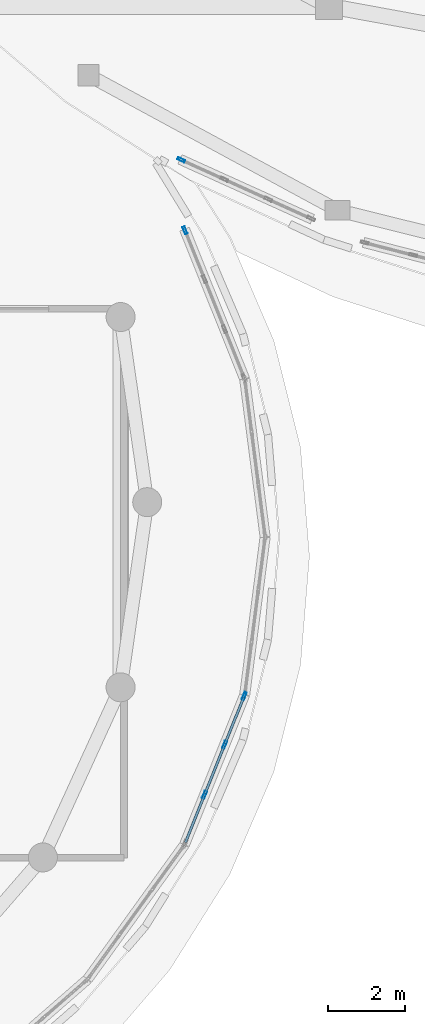
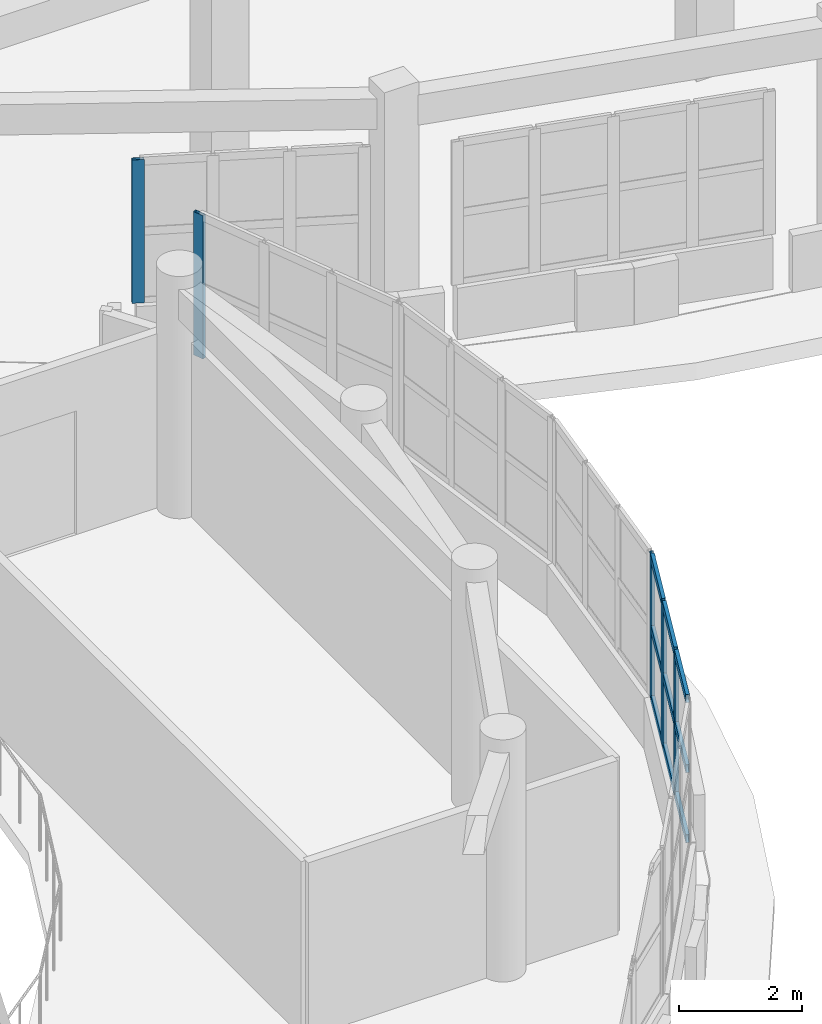
# One storey, part 26 of 98: 14 members, 3 elements without a shape of their own.
"""IFC4 building model written with IfcOpenShell, lengths in metres."""

from ifc_helpers import new_model, si_unit, direction, frame, origin, origin_2d, place, context, subcontext, project, spatial, hollow_rectangle, extrude, material, layer, layer_set, material_profile, profile_set, type_object, element, aggregate, save


model = new_model("IFC4")

# Units and contexts
model_context = context("Model", 3, precision=1e-05, world=origin(), true_north=direction((0.0, 1.0)))
body_context = subcontext(model_context, "Body", "Model", "MODEL_VIEW")
ifc_project = project(units=[si_unit("LENGTHUNIT", "METRE"), si_unit("AREAUNIT", "SQUARE_METRE"), si_unit("VOLUMEUNIT", "CUBIC_METRE"), si_unit("PLANEANGLEUNIT", "RADIAN"), si_unit("MASSUNIT", "GRAM", prefix="KILO")], contexts=[model_context])

# Site, building, storey
site_placement = place(None, origin())
site = spatial("IfcSite", under=ifc_project, at=site_placement, CompositionType="ELEMENT")
building_placement = place(site_placement, origin())
building = spatial("IfcBuilding", under=site, at=building_placement, Name="Pelvatis Terrace Science Centre", CompositionType="ELEMENT")
storey_placement = place(building_placement, frame((0.0, 0.0, 5.39990234375)))
storey = spatial("IfcBuildingStorey", under=building, at=storey_placement, Name="L01", CompositionType="ELEMENT", Elevation=5.39990234375)

# Curtain wall, member
ifc_material_1 = material(Name="Bronze-anodised aluminium and laminated glass", Category="aluminium")
ifc_layer = layer(ifc_material_1, 0.199951171875)
ifc_layer_set = layer_set([ifc_layer], Name="Bronze-anodised aluminium and laminated glass")
curtain_wall_type = type_object("IfcCurtainWallType", Name="CW-RIBBON-B", PredefinedType="NOTDEFINED", material=ifc_layer_set)
curtain_wall_1_placement = place(storey_placement, origin())
curtain_wall_1 = element("IfcCurtainWall", 1, at=curtain_wall_1_placement, inside=storey, type_object=curtain_wall_type, Name="Ribbon curtain wall CW-061 (L01)", PredefinedType="NOTDEFINED")
ifc_material_2 = material(Name="Bronze-anodised aluminium 6063-T6", Category="aluminium")
ifc_material_profile_1 = material_profile(ifc_material_2, hollow_rectangle(XDim=0.06494140625, YDim=0.199951171875, WallThickness=0.00439453125, at=origin_2d()), Name="ALU-MUL 65x200")
ifc_profile_set_1 = profile_set([ifc_material_profile_1], Name="Bronze-anodised aluminium 6063-T6")
member_type_1 = type_object("IfcMemberType", Name="CWM-65x200", PredefinedType="MULLION", material=ifc_profile_set_1)
member_1_placement = place(storey_placement, frame((95.9775390625, 61.631591796875, 1.02001953125), z_axis=(0.0, 0.0, 1.0), x_axis=(-0.928030475045, -0.372504278349, 0.0)))
member_1 = element("IfcMember", 2, at=member_1_placement, type_object=member_type_1, Name="CW-061 mullion 4", PredefinedType="MULLION", context=body_context, shape_type="SweptSolid", body=[
    extrude(hollow_rectangle(XDim=0.06494140625, YDim=0.199951171875, WallThickness=0.00439453125, at=origin_2d()), origin(), (0.0, 0.0, 1.0), 2.840087890625),
])
aggregate(curtain_wall_1, [member_1])

# Curtain wall, members
curtain_wall_2_placement = place(storey_placement, origin())
curtain_wall_2 = element("IfcCurtainWall", 3, at=curtain_wall_2_placement, inside=storey, type_object=curtain_wall_type, Name="Ribbon curtain wall CW-075 (L01)", PredefinedType="NOTDEFINED")
member_2_placement = place(storey_placement, frame((96.484375, 47.031005859375, 1.02001953125), z_axis=(0.0, 0.0, 1.0), x_axis=(-0.928030475045, 0.372504278349, 0.0)))
member_2 = element("IfcMember", 4, at=member_2_placement, type_object=member_type_1, Name="CW-075 mullion 2", PredefinedType="MULLION", context=body_context, shape_type="SweptSolid", body=[
    extrude(hollow_rectangle(XDim=0.06494140625, YDim=0.199951171875, WallThickness=0.00439453125, at=origin_2d()), origin(), (0.0, 0.0, 1.0), 2.840087890625),
])
member_3_placement = place(storey_placement, frame((97.003173828125, 48.323974609375, 1.02001953125), z_axis=(0.0, 0.0, 1.0), x_axis=(-0.928030475045, 0.372504278349, 0.0)))
member_3 = element("IfcMember", 5, at=member_3_placement, type_object=member_type_1, Name="CW-075 mullion 3", PredefinedType="MULLION", context=body_context, shape_type="SweptSolid", body=[
    extrude(hollow_rectangle(XDim=0.06494140625, YDim=0.199951171875, WallThickness=0.00439453125, at=origin_2d()), origin(), (0.0, 0.0, 1.0), 2.840087890625),
])
member_4_placement = place(storey_placement, frame((97.510009765625, 49.58642578125, 1.02001953125), z_axis=(0.0, 0.0, 1.0), x_axis=(-0.928030475045, 0.372504278349, 0.0)))
member_4 = element("IfcMember", 6, at=member_4_placement, type_object=member_type_1, Name="CW-075 mullion 4", PredefinedType="MULLION", context=body_context, shape_type="SweptSolid", body=[
    extrude(hollow_rectangle(XDim=0.06494140625, YDim=0.199951171875, WallThickness=0.00439453125, at=origin_2d()), origin(), (0.0, 0.0, 1.0), 2.840087890625),
])

# Curtain wall, member
curtain_wall_3_placement = place(storey_placement, origin())
curtain_wall_3 = element("IfcCurtainWall", 7, at=curtain_wall_3_placement, inside=storey, type_object=curtain_wall_type, Name="Ribbon curtain wall CW-144 (L01)", PredefinedType="NOTDEFINED")
member_5_placement = place(storey_placement, frame((95.879150390625, 63.454833984375, 1.02001953125), z_axis=(0.0, 0.0, 1.0), x_axis=(0.412430433047, 0.910989098671, 0.0)))
member_5 = element("IfcMember", 8, at=member_5_placement, type_object=member_type_1, Name="CW-144 mullion 1", PredefinedType="MULLION", context=body_context, shape_type="SweptSolid", body=[
    extrude(hollow_rectangle(XDim=0.06494140625, YDim=0.199951171875, WallThickness=0.00439453125, at=origin_2d()), origin(), (0.0, 0.0, 1.0), 2.840087890625),
])
aggregate(curtain_wall_3, [member_5])

# Member
ifc_material_3 = material(Name="Bronze-anodised aluminium 6063-T6", Category="aluminium")
ifc_material_profile_2 = material_profile(ifc_material_3, hollow_rectangle(XDim=0.06494140625, YDim=0.159912109375, WallThickness=0.00390625, at=origin_2d()), Name="ALU-TRN 65x160")
ifc_profile_set_2 = profile_set([ifc_material_profile_2], Name="Bronze-anodised aluminium 6063-T6")
member_type_2 = type_object("IfcMemberType", Name="CWT-65x160", PredefinedType="USERDEFINED", material=ifc_profile_set_2)
member_6_placement = place(storey_placement, frame((95.989501953125, 45.798583984375, 1.052490234375), z_axis=(0.37252747961, 0.928021161901, 0.0), x_axis=(-0.928021161901, 0.37252747961, 0.0)))
member_6 = element("IfcMember", 9, at=member_6_placement, type_object=member_type_2, Name="CW-075 transom 1.1", ObjectType="TRANSOM", PredefinedType="USERDEFINED", context=body_context, shape_type="SweptSolid", body=[
    extrude(hollow_rectangle(XDim=0.06494140625, YDim=0.159912109375, WallThickness=0.00390625, at=origin_2d()), origin(), (0.0, 0.0, 1.0), 1.295654296875),
])

member_7_placement = place(storey_placement, frame((95.989501953125, 45.798583984375, 2.440185546875), z_axis=(0.37252747961, 0.928021161901, 0.0), x_axis=(-0.928021161901, 0.37252747961, 0.0)))
member_7 = element("IfcMember", 10, at=member_7_placement, type_object=member_type_2, Name="CW-075 transom 1.2", ObjectType="TRANSOM", PredefinedType="USERDEFINED", context=body_context, shape_type="SweptSolid", body=[
    extrude(hollow_rectangle(XDim=0.06494140625, YDim=0.159912109375, WallThickness=0.00390625, at=origin_2d()), origin(), (0.0, 0.0, 1.0), 1.295654296875),
])

member_8_placement = place(storey_placement, frame((95.989501953125, 45.798583984375, 3.82763671875), z_axis=(0.37252747961, 0.928021161901, 0.0), x_axis=(-0.928021161901, 0.37252747961, 0.0)))
member_8 = element("IfcMember", 11, at=member_8_placement, type_object=member_type_2, Name="CW-075 transom 1.3", ObjectType="TRANSOM", PredefinedType="USERDEFINED", context=body_context, shape_type="SweptSolid", body=[
    extrude(hollow_rectangle(XDim=0.06494140625, YDim=0.159912109375, WallThickness=0.00390625, at=origin_2d()), origin(), (0.0, 0.0, 1.0), 1.295654296875),
])

member_9_placement = place(storey_placement, frame((96.496337890625, 47.061279296875, 1.052490234375), z_axis=(0.372626455599, 0.9279814247, 0.0), x_axis=(-0.9279814247, 0.372626455599, 0.0)))
member_9 = element("IfcMember", 12, at=member_9_placement, type_object=member_type_2, Name="CW-075 transom 2.1", ObjectType="TRANSOM", PredefinedType="USERDEFINED", context=body_context, shape_type="SweptSolid", body=[
    extrude(hollow_rectangle(XDim=0.06494140625, YDim=0.159912109375, WallThickness=0.00390625, at=origin_2d()), origin(), (0.0, 0.0, 1.0), 1.328125),
])

member_10_placement = place(storey_placement, frame((96.496337890625, 47.061279296875, 2.440185546875), z_axis=(0.372626455599, 0.9279814247, 0.0), x_axis=(-0.9279814247, 0.372626455599, 0.0)))
member_10 = element("IfcMember", 13, at=member_10_placement, type_object=member_type_2, Name="CW-075 transom 2.2", ObjectType="TRANSOM", PredefinedType="USERDEFINED", context=body_context, shape_type="SweptSolid", body=[
    extrude(hollow_rectangle(XDim=0.06494140625, YDim=0.159912109375, WallThickness=0.00390625, at=origin_2d()), origin(), (0.0, 0.0, 1.0), 1.328125),
])

member_11_placement = place(storey_placement, frame((96.496337890625, 47.061279296875, 3.82763671875), z_axis=(0.372626455599, 0.9279814247, 0.0), x_axis=(-0.9279814247, 0.372626455599, 0.0)))
member_11 = element("IfcMember", 14, at=member_11_placement, type_object=member_type_2, Name="CW-075 transom 2.3", ObjectType="TRANSOM", PredefinedType="USERDEFINED", context=body_context, shape_type="SweptSolid", body=[
    extrude(hollow_rectangle(XDim=0.06494140625, YDim=0.159912109375, WallThickness=0.00390625, at=origin_2d()), origin(), (0.0, 0.0, 1.0), 1.328125),
])

member_12_placement = place(storey_placement, frame((97.015380859375, 48.35400390625, 1.052490234375), z_axis=(0.37252747961, 0.928021161901, 0.0), x_axis=(-0.928021161901, 0.37252747961, 0.0)))
member_12 = element("IfcMember", 15, at=member_12_placement, type_object=member_type_2, Name="CW-075 transom 3.1", ObjectType="TRANSOM", PredefinedType="USERDEFINED", context=body_context, shape_type="SweptSolid", body=[
    extrude(hollow_rectangle(XDim=0.06494140625, YDim=0.159912109375, WallThickness=0.00390625, at=origin_2d()), origin(), (0.0, 0.0, 1.0), 1.295654296875),
])

member_13_placement = place(storey_placement, frame((97.015380859375, 48.35400390625, 2.440185546875), z_axis=(0.37252747961, 0.928021161901, 0.0), x_axis=(-0.928021161901, 0.37252747961, 0.0)))
member_13 = element("IfcMember", 16, at=member_13_placement, type_object=member_type_2, Name="CW-075 transom 3.2", ObjectType="TRANSOM", PredefinedType="USERDEFINED", context=body_context, shape_type="SweptSolid", body=[
    extrude(hollow_rectangle(XDim=0.06494140625, YDim=0.159912109375, WallThickness=0.00390625, at=origin_2d()), origin(), (0.0, 0.0, 1.0), 1.295654296875),
])

member_14_placement = place(storey_placement, frame((97.015380859375, 48.35400390625, 3.82763671875), z_axis=(0.37252747961, 0.928021161901, 0.0), x_axis=(-0.928021161901, 0.37252747961, 0.0)))
member_14 = element("IfcMember", 17, at=member_14_placement, type_object=member_type_2, Name="CW-075 transom 3.3", ObjectType="TRANSOM", PredefinedType="USERDEFINED", context=body_context, shape_type="SweptSolid", body=[
    extrude(hollow_rectangle(XDim=0.06494140625, YDim=0.159912109375, WallThickness=0.00390625, at=origin_2d()), origin(), (0.0, 0.0, 1.0), 1.295654296875),
])

aggregate(curtain_wall_2, [member_2, member_3, member_4, member_6, member_7, member_8, member_9, member_10, member_11, member_12, member_13, member_14])

save(model, "model.ifc")
